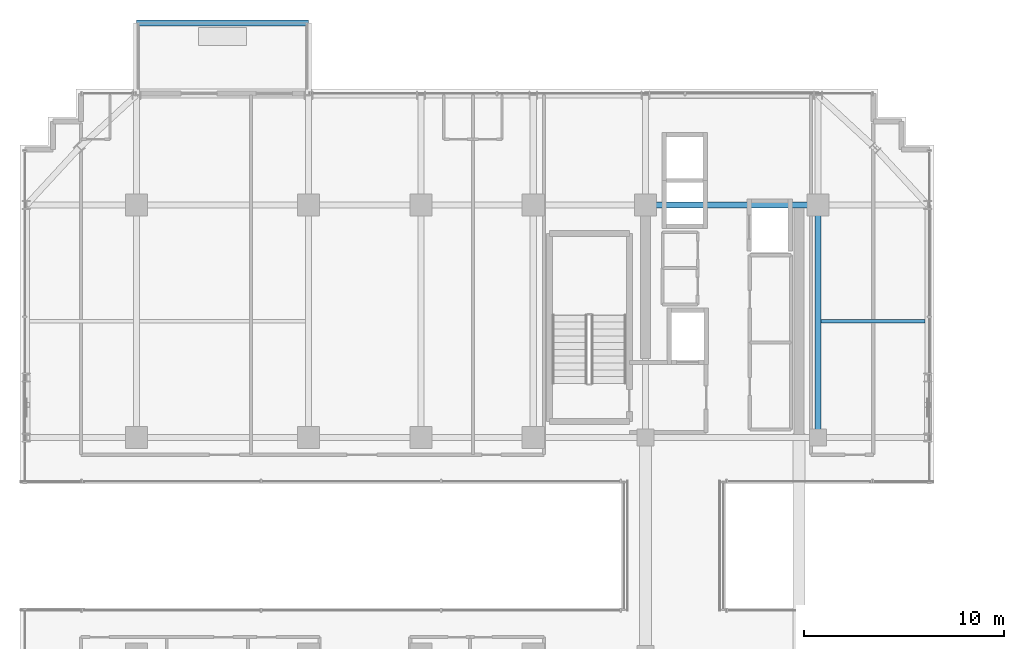
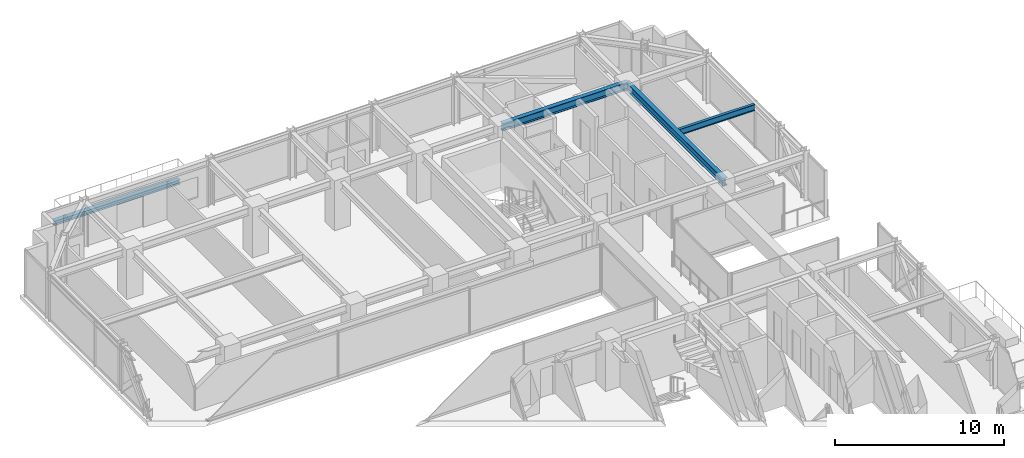
# One storey, part 25 of 36: 4 beams.
"""IFC4 building model written with IfcOpenShell, lengths in metres."""

from ifc_helpers import new_model, si_unit, direction, frame, origin, origin_2d, place, context, subcontext, project, spatial, i_section, extrude, source, transform, mapped, material, material_profile, profile_set, type_object, element, save


model = new_model("IFC4")

# Units and contexts
model_context = context("Model", 3, precision=1e-05, world=origin(), true_north=direction((0.0, 1.0)))
body_context = subcontext(model_context, "Body", "Model", "MODEL_VIEW")
ifc_project = project(units=[si_unit("LENGTHUNIT", "METRE"), si_unit("AREAUNIT", "SQUARE_METRE"), si_unit("VOLUMEUNIT", "CUBIC_METRE"), si_unit("PLANEANGLEUNIT", "RADIAN"), si_unit("MASSUNIT", "GRAM", prefix="KILO")], contexts=[model_context])

# Site, building, storey
site_placement = place(None, origin())
site = spatial("IfcSite", under=ifc_project, at=site_placement, CompositionType="ELEMENT")
building_placement = place(site_placement, origin())
building = spatial("IfcBuilding", under=site, at=building_placement, Name="Nahalor Promenade Grand Hotel", CompositionType="ELEMENT")
storey_placement = place(building_placement, frame((0.0, 0.0, 174.550048828125)))
storey = spatial("IfcBuildingStorey", under=building, at=storey_placement, Name="L44", CompositionType="ELEMENT", Elevation=174.550048828125)

# Beams
ifc_material = material(Name="Steel S355JR", Category="steel")
ifc_material_profile_1 = material_profile(ifc_material, i_section(OverallWidth=0.3, OverallDepth=0.32, WebThickness=0.0115, FlangeThickness=0.0205, at=origin_2d()), Name="HEB 320")
ifc_profile_set_1 = profile_set([ifc_material_profile_1], Name="Steel S355JR")
beam_type_1 = type_object("IfcBeamType", Name="Beam-BalcEdge-HEB320", PredefinedType="SPANDREL", material=ifc_profile_set_1)
shared_shape_1 = source(origin(), body_context, "Body", "SweptSolid", [
    extrude(i_section(OverallWidth=0.3, OverallDepth=0.32, WebThickness=0.0115, FlangeThickness=0.0205, at=origin_2d()), origin(), (0.0, 0.0, 1.0), 8.60009765625),
])
beam_1_placement = place(storey_placement, frame((-17.0, 26.080078125, -0.43994140625), z_axis=(1.0, 0.0, 0.0), x_axis=(0.0, 1.0, 0.0)))
element("IfcBeam", 1, at=beam_1_placement, inside=storey, type_object=beam_type_1, Name="BM-L44-BC-01-F", PredefinedType="SPANDREL", context=body_context, shape_type="MappedRepresentation", body=[
    mapped(shared_shape_1, transform((0.0, 0.0, 0.0), scale=1.0)),
])
ifc_material_profile_2 = material_profile(ifc_material, i_section(OverallWidth=0.3, OverallDepth=0.55, WebThickness=0.015, FlangeThickness=0.029, at=origin_2d()), Name="HEB 550")
ifc_profile_set_2 = profile_set([ifc_material_profile_2], Name="Steel S355JR")
beam_type_2 = type_object("IfcBeamType", Name="Beam-Girder-HEB550", PredefinedType="BEAM", material=ifc_profile_set_2)
shared_shape_2 = source(origin(), body_context, "Body", "SweptSolid", [
    extrude(i_section(OverallWidth=0.3, OverallDepth=0.55, WebThickness=0.015, FlangeThickness=0.029, at=origin_2d()), origin(), (0.0, 0.0, 1.0), 8.60009765625),
])
beam_2_placement = place(storey_placement, frame((8.39990234375, 17.0, 3.114990234375), z_axis=(1.0, 0.0, 0.0), x_axis=(0.0, 1.0, 0.0)))
element("IfcBeam", 2, at=beam_2_placement, inside=storey, type_object=beam_type_2, Name="BM-L44-GX-3-5", PredefinedType="BEAM", context=body_context, shape_type="MappedRepresentation", body=[
    mapped(shared_shape_2, transform((0.0, 0.0, 0.0), scale=1.0)),
])
shared_shape_3 = source(origin(), body_context, "Body", "SweptSolid", [
    extrude(i_section(OverallWidth=0.3, OverallDepth=0.55, WebThickness=0.015, FlangeThickness=0.029, at=origin_2d()), origin(), (0.0, 0.0, 1.0), 11.60009765625),
])
beam_3_placement = place(storey_placement, frame((17.0, 5.39990234375, 3.114990234375), z_axis=(0.0, 1.0, 0.0), x_axis=(-1.0, 0.0, 0.0)))
element("IfcBeam", 3, at=beam_3_placement, inside=storey, type_object=beam_type_2, Name="BM-L44-GY-5-3", PredefinedType="BEAM", context=body_context, shape_type="MappedRepresentation", body=[
    mapped(shared_shape_3, transform((0.0, 0.0, 0.0), scale=1.0)),
])
ifc_material_profile_3 = material_profile(ifc_material, i_section(OverallWidth=0.19, OverallDepth=0.45, WebThickness=0.0094, FlangeThickness=0.0146, at=origin_2d()), Name="IPE 450")
ifc_profile_set_3 = profile_set([ifc_material_profile_3], Name="Steel S355JR")
beam_type_3 = type_object("IfcBeamType", Name="Beam-Joist-IPE450", PredefinedType="JOIST", material=ifc_profile_set_3)
shared_shape_4 = source(origin(), body_context, "Body", "SweptSolid", [
    extrude(i_section(OverallWidth=0.19, OverallDepth=0.45, WebThickness=0.0094, FlangeThickness=0.0146, at=origin_2d()), origin(), (0.0, 0.0, 1.0), 5.18017578125),
])
beam_4_placement = place(storey_placement, frame((17.14990234375, 11.199951171875, 3.1650390625), z_axis=(1.0, 0.0, 0.0), x_axis=(0.0, 1.0, 0.0)))
element("IfcBeam", 4, at=beam_4_placement, inside=storey, type_object=beam_type_3, Name="BM-L44-JSE-1-2", PredefinedType="JOIST", context=body_context, shape_type="MappedRepresentation", body=[
    mapped(shared_shape_4, transform((0.0, 0.0, 0.0), scale=1.0)),
])

save(model, "model.ifc")
